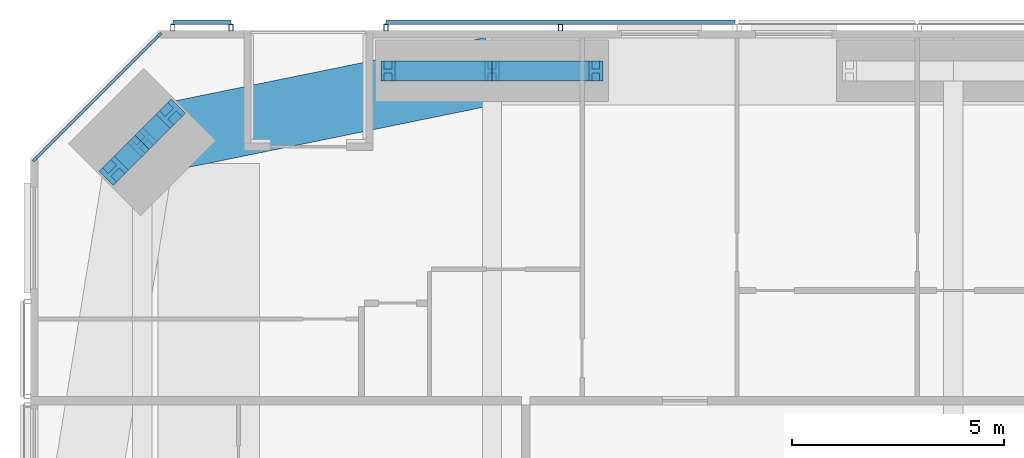
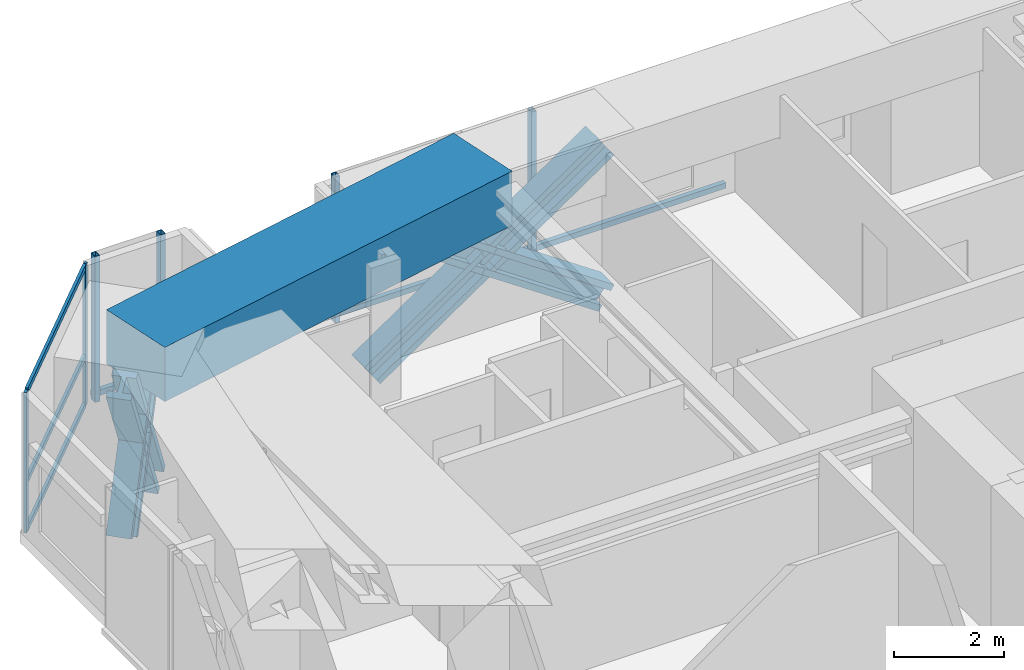
# One storey, part 11 of 23: 19 members, 1 beam, 3 elements without a shape of their own.
"""IFC4 building model written with IfcOpenShell, lengths in metres."""

from ifc_helpers import new_model, si_unit, direction, frame, origin, origin_2d, place, context, subcontext, project, spatial, rectangle, hollow_rectangle, i_section, extrude, material, material_profile, profile_set, type_object, element, aggregate, save


model = new_model("IFC4")

# Units and contexts
model_context = context("Model", 3, precision=1e-05, world=origin(), true_north=direction((0.0, 1.0)))
body_context = subcontext(model_context, "Body", "Model", "MODEL_VIEW")
ifc_project = project(units=[si_unit("LENGTHUNIT", "METRE"), si_unit("AREAUNIT", "SQUARE_METRE"), si_unit("VOLUMEUNIT", "CUBIC_METRE"), si_unit("PLANEANGLEUNIT", "RADIAN"), si_unit("MASSUNIT", "GRAM", prefix="KILO")], contexts=[model_context])

# Site, building, storey
site_placement = place(None, origin())
site = spatial("IfcSite", under=ifc_project, at=site_placement, CompositionType="ELEMENT")
building_placement = place(site_placement, origin())
building = spatial("IfcBuilding", under=site, at=building_placement, Name="Jalousie Tower", CompositionType="ELEMENT")
storey_placement = place(building_placement, frame((0.0, 0.0, 114.89990234375)))
storey = spatial("IfcBuildingStorey", under=building, at=storey_placement, Name="L31", CompositionType="ELEMENT", Elevation=114.89990234375)

# Curtain wall, members
ifc_material_1 = material(Name="Aluminium curtain wall", Category="aluminium")
curtain_wall_type_1 = type_object("IfcCurtainWallType", Name="CORNER WINDOW WALL", PredefinedType="USERDEFINED", material=ifc_material_1)
curtain_wall_1_placement = place(storey_placement, origin())
curtain_wall_1 = element("IfcCurtainWall", 1, at=curtain_wall_1_placement, inside=storey, type_object=curtain_wall_type_1, Name="Corner Window Wall L31 6", ObjectType="CORNER WINDOW WALL", PredefinedType="USERDEFINED")
ifc_material_2 = material(Name="Aluminium mullion", Category="aluminium")
ifc_material_profile_1 = material_profile(ifc_material_2, rectangle(XDim=0.06005859375, YDim=0.14990234375, at=origin_2d()), Name="MULLION 60x150")
ifc_profile_set_1 = profile_set([ifc_material_profile_1], Name="Aluminium mullion")
member_type_1 = type_object("IfcMemberType", Name="CORNER WINDOW WALL MULLION", PredefinedType="MULLION", material=ifc_profile_set_1)
member_1_placement = place(storey_placement, frame((9.030029296875, 37.891357421875, 0.0), z_axis=(0.0, 0.0, 1.0), x_axis=(0.707106781187, -0.707106781187, 0.0)))
member_1 = element("IfcMember", 2, at=member_1_placement, type_object=member_type_1, Name="CW-C mullion 1", PredefinedType="MULLION", context=body_context, shape_type="SweptSolid", body=[
    extrude(rectangle(XDim=0.06005859375, YDim=0.14990234375, at=origin_2d()), origin(), (0.0, 0.0, 1.0), 3.110107421875),
])
member_2_placement = place(storey_placement, frame((6.108642578125, 34.969970703125, 0.0), z_axis=(0.0, 0.0, 1.0), x_axis=(0.707106781187, -0.707106781187, 0.0)))
member_2 = element("IfcMember", 3, at=member_2_placement, type_object=member_type_1, Name="CW-C mullion 2", PredefinedType="MULLION", context=body_context, shape_type="SweptSolid", body=[
    extrude(rectangle(XDim=0.06005859375, YDim=0.14990234375, at=origin_2d()), origin(), (0.0, 0.0, 1.0), 3.110107421875),
])
ifc_material_3 = material(Name="Aluminium transom", Category="aluminium")
ifc_material_profile_2 = material_profile(ifc_material_3, rectangle(XDim=0.06005859375, YDim=0.1201171875, at=origin_2d()), Name="TRANSOM 60x120")
ifc_profile_set_2 = profile_set([ifc_material_profile_2], Name="Aluminium transom")
member_type_2 = type_object("IfcMemberType", Name="CORNER WINDOW WALL TRANSOM", PredefinedType="USERDEFINED", material=ifc_profile_set_2)
member_3_placement = place(storey_placement, frame((9.0087890625, 37.8701171875, 0.030029296875), z_axis=(-0.707106781187, -0.707106781187, 0.0), x_axis=(0.707106781187, -0.707106781187, 0.0)))
member_3 = element("IfcMember", 4, at=member_3_placement, type_object=member_type_2, Name="CW-C transom 1.1", ObjectType="TRANSOM", PredefinedType="USERDEFINED", context=body_context, shape_type="SweptSolid", body=[
    extrude(rectangle(XDim=0.06005859375, YDim=0.1201171875, at=origin_2d()), origin(), (0.0, 0.0, 1.0), 4.0712890625),
])
member_4_placement = place(storey_placement, frame((9.0087890625, 37.8701171875, 1.10009765625), z_axis=(-0.707106781187, -0.707106781187, 0.0), x_axis=(0.707106781187, -0.707106781187, 0.0)))
member_4 = element("IfcMember", 5, at=member_4_placement, type_object=member_type_2, Name="CW-C transom 1.2", ObjectType="TRANSOM", PredefinedType="USERDEFINED", context=body_context, shape_type="SweptSolid", body=[
    extrude(rectangle(XDim=0.06005859375, YDim=0.1201171875, at=origin_2d()), origin(), (0.0, 0.0, 1.0), 4.0712890625),
])
member_5_placement = place(storey_placement, frame((9.0087890625, 37.8701171875, 3.080078125), z_axis=(-0.707106781187, -0.707106781187, 0.0), x_axis=(0.707106781187, -0.707106781187, 0.0)))
member_5 = element("IfcMember", 6, at=member_5_placement, type_object=member_type_2, Name="CW-C transom 1.3", ObjectType="TRANSOM", PredefinedType="USERDEFINED", context=body_context, shape_type="SweptSolid", body=[
    extrude(rectangle(XDim=0.06005859375, YDim=0.1201171875, at=origin_2d()), origin(), (0.0, 0.0, 1.0), 4.0712890625),
])
aggregate(curtain_wall_1, [member_1, member_2, member_3, member_4, member_5])

# Members
ifc_material_4 = material(Name="Steel ASTM A992 Grade 50", Category="steel")
ifc_material_profile_3 = material_profile(ifc_material_4, i_section(OverallWidth=0.472412109375, OverallDepth=0.5791015625, WebThickness=0.094970703125, FlangeThickness=0.1298828125, at=origin_2d()), Name="W14X808")
ifc_profile_set_3 = profile_set([ifc_material_profile_3], Name="Steel ASTM A992 Grade 50")
member_type_3 = type_object("IfcMemberType", Name="PERIMETER BRACE W14X808", PredefinedType="BRACE", material=ifc_profile_set_3)
for number, where, z_axis, x_axis, name in (
    (7, (14.425048828125, 37.050048828125, -0.599853515625), (0.825500916831, 0.0, 0.564400776321), (0.0, 1.0, 0.0), "Perimeter brace 11 L31 part 1"),
    (8, (16.875, 37.050048828125, 1.0751953125), (0.825539243753, 0.0, 0.564344714713), (0.0, 1.0, 0.0), "Perimeter brace 11 L31 part 2"),
    (9, (19.324951171875, 37.050048828125, -0.599853515625), (-0.825500916831, 0.0, 0.564400776321), (0.0, -1.0, 0.0), "Perimeter brace 11 L31 part 3"),
    (10, (16.875, 37.050048828125, 1.0751953125), (-0.825539243753, 0.0, 0.564344714713), (0.0, -1.0, 0.0), "Perimeter brace 11 L31 part 4"),
):
    element("IfcMember", number, at=place(storey_placement, frame(where, z_axis=z_axis, x_axis=x_axis)), inside=storey, type_object=member_type_3, Name=name, PredefinedType="BRACE", context=body_context, shape_type="SweptSolid", body=[
        extrude(i_section(OverallWidth=0.472412109375, OverallDepth=0.5791015625, WebThickness=0.094970703125, FlangeThickness=0.1298828125, at=origin_2d()), origin(), (0.0, 0.0, 1.0), 2.9677734375),
    ])
member_6_placement = place(storey_placement, frame((9.302978515625, 36.040283203125, -0.599853515625), z_axis=(-0.348789058631, -0.348789058631, 0.869880672943), x_axis=(0.707106781187, -0.707106781187, 0.0)))
element("IfcMember", 11, at=member_6_placement, inside=storey, type_object=member_type_3, Name="Perimeter brace 12 L31 part 1", PredefinedType="BRACE", context=body_context, shape_type="SweptSolid", body=[
    extrude(i_section(OverallWidth=0.472412109375, OverallDepth=0.5791015625, WebThickness=0.094970703125, FlangeThickness=0.1298828125, at=origin_2d()), origin(), (0.0, 0.0, 1.0), 1.925537109375),
])
member_7_placement = place(storey_placement, frame((8.63134765625, 35.36865234375, 1.0751953125), z_axis=(-0.348827529765, -0.348827529765, 0.869849819771), x_axis=(0.707106781187, -0.707106781187, 0.0)))
element("IfcMember", 12, at=member_7_placement, inside=storey, type_object=member_type_3, Name="Perimeter brace 12 L31 part 2", PredefinedType="BRACE", context=body_context, shape_type="SweptSolid", body=[
    extrude(i_section(OverallWidth=0.472412109375, OverallDepth=0.5791015625, WebThickness=0.094970703125, FlangeThickness=0.1298828125, at=origin_2d()), origin(), (0.0, 0.0, 1.0), 1.92529296875),
])
member_8_placement = place(storey_placement, frame((7.959716796875, 34.697021484375, -0.599853515625), z_axis=(0.348789058631, 0.348789058631, 0.869880672943), x_axis=(-0.707106781187, 0.707106781187, 0.0)))
element("IfcMember", 13, at=member_8_placement, inside=storey, type_object=member_type_3, Name="Perimeter brace 12 L31 part 3", PredefinedType="BRACE", context=body_context, shape_type="SweptSolid", body=[
    extrude(i_section(OverallWidth=0.472412109375, OverallDepth=0.5791015625, WebThickness=0.094970703125, FlangeThickness=0.1298828125, at=origin_2d()), origin(), (0.0, 0.0, 1.0), 1.925537109375),
])
member_9_placement = place(storey_placement, frame((8.63134765625, 35.36865234375, 1.0751953125), z_axis=(0.348827529765, 0.348827529765, 0.869849819771), x_axis=(-0.707106781187, 0.707106781187, 0.0)))
element("IfcMember", 14, at=member_9_placement, inside=storey, type_object=member_type_3, Name="Perimeter brace 12 L31 part 4", PredefinedType="BRACE", context=body_context, shape_type="SweptSolid", body=[
    extrude(i_section(OverallWidth=0.472412109375, OverallDepth=0.5791015625, WebThickness=0.094970703125, FlangeThickness=0.1298828125, at=origin_2d()), origin(), (0.0, 0.0, 1.0), 1.92529296875),
])

# Beam
ifc_material_5 = material(Name="Concrete f'c 40 MPa", Category="concrete")
ifc_material_profile_4 = material_profile(ifc_material_5, rectangle(XDim=1.60009765625, YDim=1.199951171875, at=origin_2d()), Name="RC 1600x1200")
ifc_profile_set_4 = profile_set([ifc_material_profile_4], Name="Concrete f'c 40 MPa")
beam_type = type_object("IfcBeamType", Name="RC BEAM 1600x1200", PredefinedType="BEAM", material=ifc_profile_set_4)
beam_placement = place(storey_placement, frame((16.875, 37.050048828125, 2.75), z_axis=(-0.97982690954, -0.199848010602, 0.0), x_axis=(0.199848010602, -0.97982690954, 0.0)))
element("IfcBeam", 15, at=beam_placement, inside=storey, type_object=beam_type, Name="Edge band beam 11-12 under L32", PredefinedType="BEAM", context=body_context, shape_type="SweptSolid", body=[
    extrude(rectangle(XDim=1.60009765625, YDim=1.199951171875, at=origin_2d()), origin(), (0.0, 0.0, 1.0), 8.413330078125),
])

# Curtain wall, members
ifc_material_6 = material(Name="Perforated aluminium sheet", Category="aluminium")
curtain_wall_type_2 = type_object("IfcCurtainWallType", Name="SOLAR SCREEN SS-1", PredefinedType="USERDEFINED", material=ifc_material_6)
curtain_wall_2_placement = place(storey_placement, origin())
curtain_wall_2 = element("IfcCurtainWall", 16, at=curtain_wall_2_placement, inside=storey, type_object=curtain_wall_type_2, Name="Solar screen L31", ObjectType="SOLAR SCREEN SS-1", PredefinedType="USERDEFINED")
ifc_material_7 = material(Name="Steel ASTM A500 Grade C", Category="steel")
ifc_material_profile_5 = material_profile(ifc_material_7, hollow_rectangle(XDim=0.1015625, YDim=0.15234375, WallThickness=0.00634765625, at=origin_2d()), Name="HSS6X4X1/4")
ifc_profile_set_5 = profile_set([ifc_material_profile_5], Name="Steel ASTM A500 Grade C")
member_type_4 = type_object("IfcMemberType", Name="SOLAR SCREEN SS-1 MULLION", PredefinedType="MULLION", material=ifc_profile_set_5)
member_10_placement = place(storey_placement, frame((18.487548828125, 38.0712890625, -0.119873046875), z_axis=(0.0, 0.0, 1.0), x_axis=(-1.0, 0.0, 0.0)))
member_10 = element("IfcMember", 17, at=member_10_placement, type_object=member_type_4, Name="SS1 post 2", PredefinedType="MULLION", context=body_context, shape_type="SweptSolid", body=[
    extrude(hollow_rectangle(XDim=0.1015625, YDim=0.15234375, WallThickness=0.00634765625, at=origin_2d()), origin(), (0.0, 0.0, 1.0), 3.22998046875),
])
member_11_placement = place(storey_placement, frame((14.375, 38.0712890625, -0.119873046875), z_axis=(0.0, 0.0, 1.0), x_axis=(-1.0, 0.0, 0.0)))
member_11 = element("IfcMember", 18, at=member_11_placement, type_object=member_type_4, Name="SS1 post 3", PredefinedType="MULLION", context=body_context, shape_type="SweptSolid", body=[
    extrude(hollow_rectangle(XDim=0.1015625, YDim=0.15234375, WallThickness=0.00634765625, at=origin_2d()), origin(), (0.0, 0.0, 1.0), 3.22998046875),
])

curtain_wall_3_placement = place(storey_placement, origin())
curtain_wall_3 = element("IfcCurtainWall", 19, at=curtain_wall_3_placement, inside=storey, type_object=curtain_wall_type_2, Name="Solar screen L31", ObjectType="SOLAR SCREEN SS-1", PredefinedType="USERDEFINED")
member_12_placement = place(storey_placement, frame((10.72509765625, 38.0712890625, -0.119873046875), z_axis=(0.0, 0.0, 1.0), x_axis=(-1.0, 0.0, 0.0)))
member_12 = element("IfcMember", 20, at=member_12_placement, type_object=member_type_4, Name="SS1 post 1", PredefinedType="MULLION", context=body_context, shape_type="SweptSolid", body=[
    extrude(hollow_rectangle(XDim=0.1015625, YDim=0.15234375, WallThickness=0.00634765625, at=origin_2d()), origin(), (0.0, 0.0, 1.0), 3.22998046875),
])
member_13_placement = place(storey_placement, frame((9.351318359375, 38.0712890625, -0.119873046875), z_axis=(0.0, 0.0, 1.0), x_axis=(-1.0, 0.0, 0.0)))
member_13 = element("IfcMember", 21, at=member_13_placement, type_object=member_type_4, Name="SS1 post 2", PredefinedType="MULLION", context=body_context, shape_type="SweptSolid", body=[
    extrude(hollow_rectangle(XDim=0.1015625, YDim=0.15234375, WallThickness=0.00634765625, at=origin_2d()), origin(), (0.0, 0.0, 1.0), 3.22998046875),
])

# Member
ifc_material_8 = material(Name="Extruded aluminium screen rail", Category="aluminium")
ifc_material_profile_6 = material_profile(ifc_material_8, rectangle(XDim=0.1015625, YDim=0.1201171875, at=origin_2d()), Name="RAIL 102x120")
ifc_profile_set_6 = profile_set([ifc_material_profile_6], Name="Extruded aluminium screen rail")
member_type_5 = type_object("IfcMemberType", Name="SOLAR SCREEN SS-1 TRANSOM", PredefinedType="USERDEFINED", material=ifc_profile_set_6)
member_14_placement = place(storey_placement, frame((22.60009765625, 38.1982421875, -0.059814453125), z_axis=(-1.0, 0.0, 0.0), x_axis=(0.0, -1.0, 0.0)))
member_14 = element("IfcMember", 22, at=member_14_placement, type_object=member_type_5, Name="SS1 rail", ObjectType="TRANSOM", PredefinedType="USERDEFINED", context=body_context, shape_type="SweptSolid", body=[
    extrude(rectangle(XDim=0.1015625, YDim=0.1201171875, at=origin_2d()), origin(), (0.0, 0.0, 1.0), 8.22509765625),
])

aggregate(curtain_wall_2, [member_10, member_11, member_14])

member_15_placement = place(storey_placement, frame((10.72509765625, 38.1982421875, -0.059814453125), z_axis=(-1.0, 0.0, 0.0), x_axis=(0.0, -1.0, 0.0)))
member_15 = element("IfcMember", 23, at=member_15_placement, type_object=member_type_5, Name="SS1 rail", ObjectType="TRANSOM", PredefinedType="USERDEFINED", context=body_context, shape_type="SweptSolid", body=[
    extrude(rectangle(XDim=0.1015625, YDim=0.1201171875, at=origin_2d()), origin(), (0.0, 0.0, 1.0), 1.373779296875),
])

aggregate(curtain_wall_3, [member_12, member_13, member_15])

save(model, "model.ifc")
